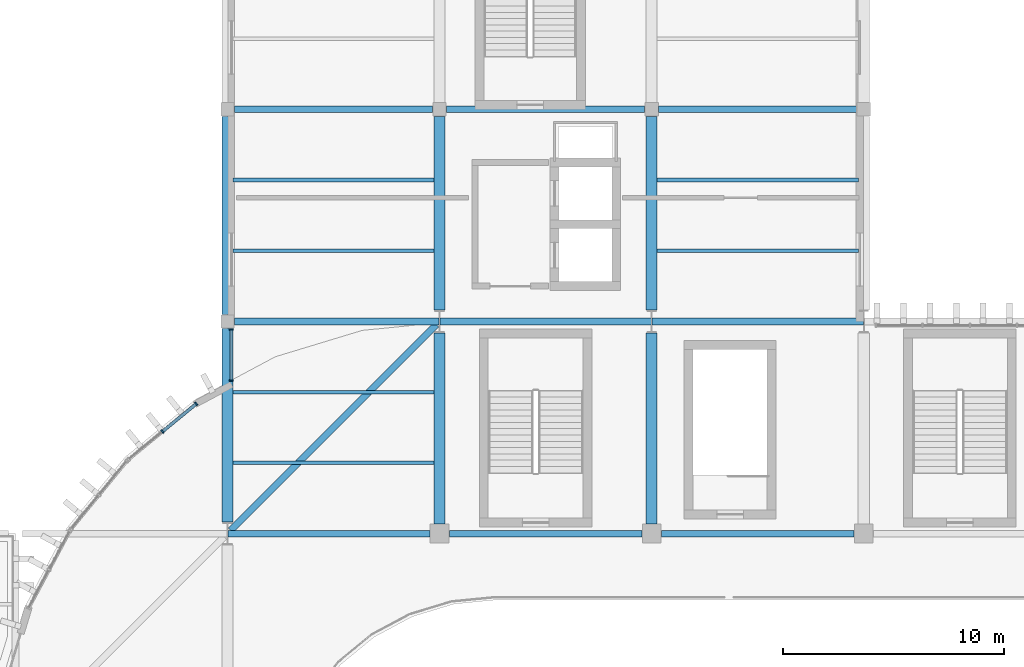
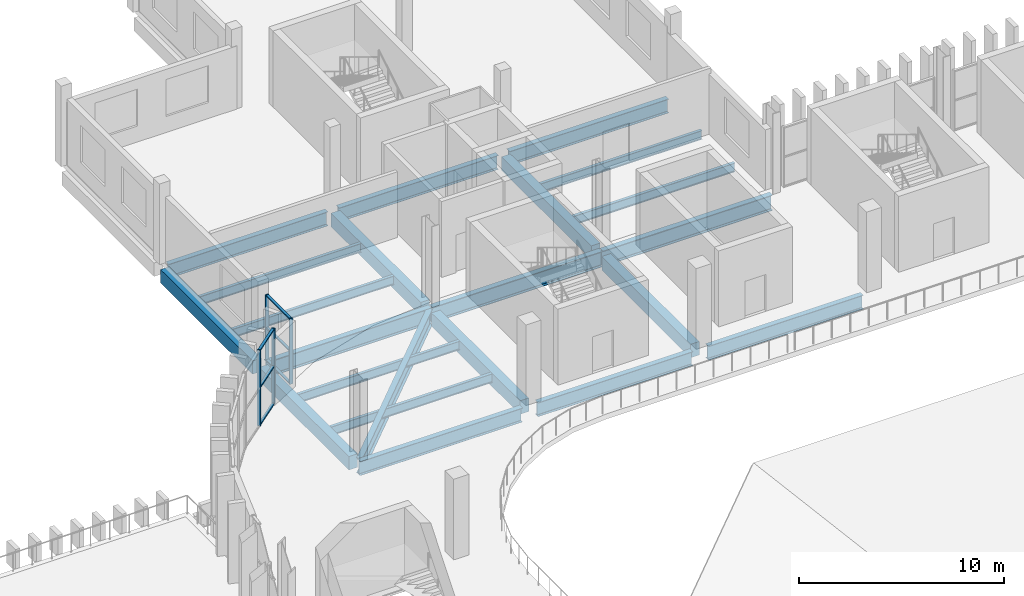
# One storey, part 33 of 99: 22 beams, 10 members, 2 elements without a shape of their own.
"""IFC4 building model written with IfcOpenShell, lengths in metres."""

from ifc_helpers import new_model, si_unit, direction, frame, origin, origin_2d, place, context, subcontext, project, spatial, rectangle, i_section, extrude, material, layer, layer_set, material_profile, profile_set, type_object, element, aggregate, save


model = new_model("IFC4")

# Units and contexts
model_context = context("Model", 3, precision=1e-05, world=origin(), true_north=direction((0.0, 1.0)))
body_context = subcontext(model_context, "Body", "Model", "MODEL_VIEW")
ifc_project = project(units=[si_unit("LENGTHUNIT", "METRE"), si_unit("AREAUNIT", "SQUARE_METRE"), si_unit("VOLUMEUNIT", "CUBIC_METRE"), si_unit("PLANEANGLEUNIT", "RADIAN"), si_unit("MASSUNIT", "GRAM", prefix="KILO")], contexts=[model_context])

# Site, building, storey
site_placement = place(None, origin())
site = spatial("IfcSite", under=ifc_project, at=site_placement, CompositionType="ELEMENT")
building_placement = place(site_placement, origin())
building = spatial("IfcBuilding", under=site, at=building_placement, Name="Caelomonte Colonnade Arena", CompositionType="ELEMENT")
storey_placement = place(building_placement, frame((0.0, 0.0, 4.800048828125)))
storey = spatial("IfcBuildingStorey", under=building, at=storey_placement, Name="L01", CompositionType="ELEMENT", Elevation=4.800048828125)

# Curtain wall, members
ifc_material_1 = material(Name="Bronze anodised aluminium and low-E glazing", Category="aluminium")
ifc_layer_1 = layer(ifc_material_1, 0.179931640625)
ifc_layer_set_1 = layer_set([ifc_layer_1], Name="Bronze anodised aluminium and low-E glazing")
curtain_wall_type_1 = type_object("IfcCurtainWallType", Name="ENV-CW-CW-L01-29-39", PredefinedType="USERDEFINED", material=ifc_layer_set_1)
curtain_wall_1_placement = place(storey_placement, origin())
curtain_wall_1 = element("IfcCurtainWall", 1, at=curtain_wall_1_placement, inside=storey, type_object=curtain_wall_type_1, Name="L01 unitized curtain wall CW-L01-0674-1138", ObjectType="UNITIZED CURTAIN WALL", PredefinedType="USERDEFINED")
ifc_material_2 = material(Name="Bronze anodised aluminium AA6063-T6", Category="aluminium")
ifc_material_profile_1 = material_profile(ifc_material_2, rectangle(XDim=0.070068359375, YDim=0.179931640625, at=origin_2d()), Name="CWM-70X180")
ifc_profile_set_1 = profile_set([ifc_material_profile_1], Name="Bronze anodised aluminium AA6063-T6")
member_type_1 = type_object("IfcMemberType", Name="ENV-CW-MULL1", PredefinedType="MULLION", material=ifc_profile_set_1)
member_1_placement = place(storey_placement, frame((67.3798828125, 114.844970703125, 0.0), z_axis=(0.0, 0.0, 1.0), x_axis=(0.0, -1.0, 0.0)))
member_1 = element("IfcMember", 2, at=member_1_placement, type_object=member_type_1, Name="CW-L01-29-39 mullion 1", PredefinedType="MULLION", context=body_context, shape_type="SweptSolid", body=[
    extrude(rectangle(XDim=0.070068359375, YDim=0.179931640625, at=origin_2d()), origin(), (0.0, 0.0, 1.0), 3.912841796875),
])
member_2_placement = place(storey_placement, frame((67.3798828125, 112.52001953125, 0.0), z_axis=(0.0, 0.0, 1.0), x_axis=(0.0, -1.0, 0.0)))
member_2 = element("IfcMember", 3, at=member_2_placement, type_object=member_type_1, Name="CW-L01-29-39 mullion 2", PredefinedType="MULLION", context=body_context, shape_type="SweptSolid", body=[
    extrude(rectangle(XDim=0.070068359375, YDim=0.179931640625, at=origin_2d()), origin(), (0.0, 0.0, 1.0), 3.912841796875),
])

ifc_layer_2 = layer(ifc_material_1, 0.179931640625)
ifc_layer_set_2 = layer_set([ifc_layer_2], Name="Bronze anodised aluminium and low-E glazing")
curtain_wall_type_2 = type_object("IfcCurtainWallType", Name="ENV-CW-CW-L01-44-45", PredefinedType="USERDEFINED", material=ifc_layer_set_2)
curtain_wall_2_placement = place(storey_placement, origin())
curtain_wall_2 = element("IfcCurtainWall", 4, at=curtain_wall_2_placement, inside=storey, type_object=curtain_wall_type_2, Name="L01 unitized curtain wall CW-L01-0643-1102", ObjectType="UNITIZED CURTAIN WALL", PredefinedType="USERDEFINED")
member_3_placement = place(storey_placement, frame((65.789306640625, 111.47412109375, 0.0), z_axis=(0.0, 0.0, 1.0), x_axis=(-0.772991751994, -0.634416071163, 0.0)))
member_3 = element("IfcMember", 5, at=member_3_placement, type_object=member_type_1, Name="CW-L01-44-45 mullion 1", PredefinedType="MULLION", context=body_context, shape_type="SweptSolid", body=[
    extrude(rectangle(XDim=0.070068359375, YDim=0.179931640625, at=origin_2d()), origin(), (0.0, 0.0, 1.0), 4.52001953125),
])
member_4_placement = place(storey_placement, frame((64.256103515625, 110.2158203125, 0.0), z_axis=(0.0, 0.0, 1.0), x_axis=(-0.772991751994, -0.634416071163, 0.0)))
member_4 = element("IfcMember", 6, at=member_4_placement, type_object=member_type_1, Name="CW-L01-44-45 mullion 2", PredefinedType="MULLION", context=body_context, shape_type="SweptSolid", body=[
    extrude(rectangle(XDim=0.070068359375, YDim=0.179931640625, at=origin_2d()), origin(), (0.0, 0.0, 1.0), 4.52001953125),
])

# Member
ifc_material_profile_2 = material_profile(ifc_material_2, rectangle(XDim=0.070068359375, YDim=0.139892578125, at=origin_2d()), Name="CWT-70X140")
ifc_profile_set_2 = profile_set([ifc_material_profile_2], Name="Bronze anodised aluminium AA6063-T6")
member_type_2 = type_object("IfcMemberType", Name="ENV-CW-TRAN1", PredefinedType="USERDEFINED", material=ifc_profile_set_2)
member_5_placement = place(storey_placement, frame((67.3798828125, 114.81005859375, 0.034912109375), z_axis=(0.0, -1.0, 0.0), x_axis=(0.0, 0.0, 1.0)))
member_5 = element("IfcMember", 7, at=member_5_placement, type_object=member_type_2, Name="CW-L01-29-39 transom 1.1", ObjectType="TRANSOM", PredefinedType="USERDEFINED", context=body_context, shape_type="SweptSolid", body=[
    extrude(rectangle(XDim=0.070068359375, YDim=0.139892578125, at=origin_2d()), origin(), (0.0, 0.0, 1.0), 2.255126953125),
])

member_6_placement = place(storey_placement, frame((67.3798828125, 114.81005859375, 1.95654296875), z_axis=(0.0, -1.0, 0.0), x_axis=(0.0, 0.0, 1.0)))
member_6 = element("IfcMember", 8, at=member_6_placement, type_object=member_type_2, Name="CW-L01-29-39 transom 1.2", ObjectType="TRANSOM", PredefinedType="USERDEFINED", context=body_context, shape_type="SweptSolid", body=[
    extrude(rectangle(XDim=0.070068359375, YDim=0.139892578125, at=origin_2d()), origin(), (0.0, 0.0, 1.0), 2.255126953125),
])

member_7_placement = place(storey_placement, frame((67.3798828125, 114.81005859375, 3.8779296875), z_axis=(0.0, -1.0, 0.0), x_axis=(0.0, 0.0, 1.0)))
member_7 = element("IfcMember", 9, at=member_7_placement, type_object=member_type_2, Name="CW-L01-29-39 transom 1.3", ObjectType="TRANSOM", PredefinedType="USERDEFINED", context=body_context, shape_type="SweptSolid", body=[
    extrude(rectangle(XDim=0.070068359375, YDim=0.139892578125, at=origin_2d()), origin(), (0.0, 0.0, 1.0), 2.255126953125),
])

aggregate(curtain_wall_1, [member_1, member_2, member_5, member_6, member_7])

member_8_placement = place(storey_placement, frame((65.76220703125, 111.451904296875, 0.034912109375), z_axis=(-0.772989936128, -0.634418283662, 0.0), x_axis=(0.0, 0.0, 1.0)))
member_8 = element("IfcMember", 10, at=member_8_placement, type_object=member_type_2, Name="CW-L01-44-45 transom 1.1", ObjectType="TRANSOM", PredefinedType="USERDEFINED", context=body_context, shape_type="SweptSolid", body=[
    extrude(rectangle(XDim=0.070068359375, YDim=0.139892578125, at=origin_2d()), origin(), (0.0, 0.0, 1.0), 1.913330078125),
])

member_9_placement = place(storey_placement, frame((65.76220703125, 111.451904296875, 2.260009765625), z_axis=(-0.772989936128, -0.634418283662, 0.0), x_axis=(0.0, 0.0, 1.0)))
member_9 = element("IfcMember", 11, at=member_9_placement, type_object=member_type_2, Name="CW-L01-44-45 transom 1.2", ObjectType="TRANSOM", PredefinedType="USERDEFINED", context=body_context, shape_type="SweptSolid", body=[
    extrude(rectangle(XDim=0.070068359375, YDim=0.139892578125, at=origin_2d()), origin(), (0.0, 0.0, 1.0), 1.913330078125),
])

member_10_placement = place(storey_placement, frame((65.76220703125, 111.451904296875, 4.48486328125), z_axis=(-0.772989936128, -0.634418283662, 0.0), x_axis=(0.0, 0.0, 1.0)))
member_10 = element("IfcMember", 12, at=member_10_placement, type_object=member_type_2, Name="CW-L01-44-45 transom 1.3", ObjectType="TRANSOM", PredefinedType="USERDEFINED", context=body_context, shape_type="SweptSolid", body=[
    extrude(rectangle(XDim=0.070068359375, YDim=0.139892578125, at=origin_2d()), origin(), (0.0, 0.0, 1.0), 1.913330078125),
])

aggregate(curtain_wall_2, [member_3, member_4, member_8, member_9, member_10])

# Beams
ifc_material_3 = material(Name="Wide-flange steel ASTM A992 Grade 50", Category="steel")
ifc_material_profile_3 = material_profile(ifc_material_3, i_section(OverallWidth=0.307861328125, OverallDepth=0.927001953125, WebThickness=0.019287109375, FlangeThickness=0.031982421875, FilletRadius=0.020263671875, at=origin_2d()), Name="W36X194")
ifc_profile_set_3 = profile_set([ifc_material_profile_3], Name="Wide-flange steel ASTM A992 Grade 50")
beam_type_1 = type_object("IfcBeamType", Name="STR-BM-EAVES2", PredefinedType="SPANDREL", material=ifc_profile_set_3)
beam_1_placement = place(storey_placement, frame((67.51708984375, 115.199951171875, -0.763427734375), z_axis=(1.0, 0.0, 0.0), x_axis=(0.0, 1.0, 0.0)))
element("IfcBeam", 13, at=beam_1_placement, inside=storey, type_object=beam_type_1, Name="L01 girder BMX-L01-0672-1152", PredefinedType="SPANDREL", context=body_context, shape_type="SweptSolid", body=[
    extrude(i_section(OverallWidth=0.307861328125, OverallDepth=0.927001953125, WebThickness=0.019287109375, FlangeThickness=0.031982421875, FilletRadius=0.020263671875, at=origin_2d()), origin(), (0.0, 0.0, 1.0), 9.267333984375),
])
for number, where, z_axis, x_axis, name in (
    (14, (76.8154296875, 115.199951171875, -0.763427734375), (1.0, 0.0, 0.0), (0.0, 1.0, 0.0), "L01 girder BMX-L01-0768-1152"),
    (15, (86.41552734375, 115.199951171875, -0.763427734375), (1.0, 0.0, 0.0), (0.0, 1.0, 0.0), "L01 girder BMX-L01-0864-1152"),
):
    element("IfcBeam", number, at=place(storey_placement, frame(where, z_axis=z_axis, x_axis=x_axis)), inside=storey, type_object=beam_type_1, Name=name, PredefinedType="SPANDREL", context=body_context, shape_type="SweptSolid", body=[
        extrude(i_section(OverallWidth=0.307861328125, OverallDepth=0.927001953125, WebThickness=0.019287109375, FlangeThickness=0.031982421875, FilletRadius=0.020263671875, at=origin_2d()), origin(), (0.0, 0.0, 1.0), 9.569091796875),
    ])
beam_2_placement = place(storey_placement, frame((76.65478515625, 115.0546875, -0.763427734375), z_axis=(-0.707116053077, -0.707097509175, 0.0), x_axis=(0.707097509175, -0.707116053077, 0.0)))
element("IfcBeam", 16, at=beam_2_placement, inside=storey, type_object=beam_type_1, Name="L01 drum corner ring girder 7", PredefinedType="SPANDREL", context=body_context, shape_type="SweptSolid", body=[
    extrude(i_section(OverallWidth=0.307861328125, OverallDepth=0.927001953125, WebThickness=0.019287109375, FlangeThickness=0.031982421875, FilletRadius=0.020263671875, at=origin_2d()), origin(), (0.0, 0.0, 1.0), 13.16552734375),
])
ifc_material_profile_4 = material_profile(ifc_material_3, i_section(OverallWidth=0.2919921875, OverallDepth=0.835693359375, WebThickness=0.013916015625, FlangeThickness=0.018798828125, FilletRadius=0.017822265625, at=origin_2d()), Name="W33X118")
ifc_profile_set_4 = profile_set([ifc_material_profile_4], Name="Wide-flange steel ASTM A992 Grade 50")
beam_type_2 = type_object("IfcBeamType", Name="STR-BM-GIRD33B", PredefinedType="BEAM", material=ifc_profile_set_4)
beam_3_placement = place(storey_placement, frame((67.215576171875, 105.60009765625, -0.7177734375), z_axis=(1.0, 0.0, 0.0), x_axis=(0.0, 1.0, 0.0)))
element("IfcBeam", 17, at=beam_3_placement, inside=storey, type_object=beam_type_2, Name="L01 girder BMX-L01-0672-1056", PredefinedType="BEAM", context=body_context, shape_type="SweptSolid", body=[
    extrude(i_section(OverallWidth=0.2919921875, OverallDepth=0.835693359375, WebThickness=0.013916015625, FlangeThickness=0.018798828125, FilletRadius=0.017822265625, at=origin_2d()), origin(), (0.0, 0.0, 1.0), 9.142333984375),
])
for number, where, z_axis, x_axis, name in (
    (18, (77.241943359375, 105.60009765625, -0.7177734375), (1.0, 0.0, 0.0), (0.0, 1.0, 0.0), "L01 girder BMX-L01-0768-1056"),
    (19, (86.842041015625, 105.60009765625, -0.7177734375), (1.0, 0.0, 0.0), (0.0, 1.0, 0.0), "L01 girder BMX-L01-0864-1056"),
):
    element("IfcBeam", number, at=place(storey_placement, frame(where, z_axis=z_axis, x_axis=x_axis)), inside=storey, type_object=beam_type_2, Name=name, PredefinedType="BEAM", context=body_context, shape_type="SweptSolid", body=[
        extrude(i_section(OverallWidth=0.2919921875, OverallDepth=0.835693359375, WebThickness=0.013916015625, FlangeThickness=0.018798828125, FilletRadius=0.017822265625, at=origin_2d()), origin(), (0.0, 0.0, 1.0), 8.716064453125),
    ])
beam_4_placement = place(storey_placement, frame((67.51708984375, 124.800048828125, -0.7177734375), z_axis=(1.0, 0.0, 0.0), x_axis=(0.0, 1.0, 0.0)))
element("IfcBeam", 20, at=beam_4_placement, inside=storey, type_object=beam_type_2, Name="L01 girder BMX-L01-0672-1248", PredefinedType="BEAM", context=body_context, shape_type="SweptSolid", body=[
    extrude(i_section(OverallWidth=0.2919921875, OverallDepth=0.835693359375, WebThickness=0.013916015625, FlangeThickness=0.018798828125, FilletRadius=0.017822265625, at=origin_2d()), origin(), (0.0, 0.0, 1.0), 8.9658203125),
])
for number, where, z_axis, x_axis, name in (
    (21, (77.116943359375, 124.800048828125, -0.7177734375), (1.0, 0.0, 0.0), (0.0, 1.0, 0.0), "L01 girder BMX-L01-0768-1248"),
    (22, (86.717041015625, 124.800048828125, -0.7177734375), (1.0, 0.0, 0.0), (0.0, 1.0, 0.0), "L01 girder BMX-L01-0864-1248"),
):
    element("IfcBeam", number, at=place(storey_placement, frame(where, z_axis=z_axis, x_axis=x_axis)), inside=storey, type_object=beam_type_2, Name=name, PredefinedType="BEAM", context=body_context, shape_type="SweptSolid", body=[
        extrude(i_section(OverallWidth=0.2919921875, OverallDepth=0.835693359375, WebThickness=0.013916015625, FlangeThickness=0.018798828125, FilletRadius=0.017822265625, at=origin_2d()), origin(), (0.0, 0.0, 1.0), 8.966064453125),
    ])
ifc_material_profile_5 = material_profile(ifc_material_3, i_section(OverallWidth=0.166015625, OverallDepth=0.5283203125, WebThickness=0.009765625, FlangeThickness=0.013671875, FilletRadius=0.0126953125, at=origin_2d()), Name="W21X50")
ifc_profile_set_5 = profile_set([ifc_material_profile_5], Name="Wide-flange steel ASTM A992 Grade 50")
beam_type_3 = type_object("IfcBeamType", Name="STR-BM-JOIST21B", PredefinedType="JOIST", material=ifc_profile_set_5)
for number, where, z_axis, x_axis, name in (
    (23, (67.445068359375, 108.800048828125, -0.564208984375), (1.0, 0.0, 0.0), (0.0, 1.0, 0.0), "L01 secondary joist 1"),
    (24, (67.445068359375, 112.0, -0.564208984375), (1.0, 0.0, 0.0), (0.0, 1.0, 0.0), "L01 secondary joist 2"),
    (25, (67.445068359375, 118.39990234375, -0.564208984375), (1.0, 0.0, 0.0), (0.0, 1.0, 0.0), "L01 secondary joist 1"),
    (26, (67.445068359375, 121.60009765625, -0.564208984375), (1.0, 0.0, 0.0), (0.0, 1.0, 0.0), "L01 secondary joist 2"),
    (27, (86.64501953125, 118.39990234375, -0.564208984375), (1.0, 0.0, 0.0), (0.0, 1.0, 0.0), "L01 secondary joist 1"),
    (28, (86.64501953125, 121.60009765625, -0.564208984375), (1.0, 0.0, 0.0), (0.0, 1.0, 0.0), "L01 secondary joist 2"),
):
    element("IfcBeam", number, at=place(storey_placement, frame(where, z_axis=z_axis, x_axis=x_axis)), inside=storey, type_object=beam_type_3, Name=name, PredefinedType="JOIST", context=body_context, shape_type="SweptSolid", body=[
        extrude(i_section(OverallWidth=0.166015625, OverallDepth=0.5283203125, WebThickness=0.009765625, FlangeThickness=0.013671875, FilletRadius=0.0126953125, at=origin_2d()), origin(), (0.0, 0.0, 1.0), 9.10986328125),
    ])
ifc_material_4 = material(Name="Concrete C40/50", Category="concrete")
ifc_material_profile_6 = material_profile(ifc_material_4, rectangle(XDim=0.5, YDim=0.800048828125, at=origin_2d()), Name="RC500X800")
ifc_profile_set_6 = profile_set([ifc_material_profile_6], Name="Concrete C40/50")
beam_type_4 = type_object("IfcBeamType", Name="STR-BM-RC50", PredefinedType="BEAM", material=ifc_profile_set_6)
beam_5_placement = place(storey_placement, frame((67.199951171875, 106.11279296875, -0.699951171875), z_axis=(0.0, 1.0, 0.0), x_axis=(-1.0, 0.0, 0.0)))
element("IfcBeam", 29, at=beam_5_placement, inside=storey, type_object=beam_type_4, Name="L01 girder BMY-L01-0672-1056", PredefinedType="BEAM", context=body_context, shape_type="SweptSolid", body=[
    extrude(rectangle(XDim=0.5, YDim=0.800048828125, at=origin_2d()), origin(), (0.0, 0.0, 1.0), 8.770263671875),
])
beam_6_placement = place(storey_placement, frame((67.199951171875, 115.51708984375, -0.699951171875), z_axis=(0.0, 1.0, 0.0), x_axis=(-1.0, 0.0, 0.0)))
element("IfcBeam", 30, at=beam_6_placement, inside=storey, type_object=beam_type_4, Name="L01 girder BMY-L01-0672-1152", PredefinedType="BEAM", context=body_context, shape_type="SweptSolid", body=[
    extrude(rectangle(XDim=0.5, YDim=0.800048828125, at=origin_2d()), origin(), (0.0, 0.0, 1.0), 8.9658203125),
])
beam_7_placement = place(storey_placement, frame((76.800048828125, 106.0419921875, -0.699951171875), z_axis=(0.0, 1.0, 0.0), x_axis=(-1.0, 0.0, 0.0)))
element("IfcBeam", 31, at=beam_7_placement, inside=storey, type_object=beam_type_4, Name="L01 girder BMY-L01-0768-1056", PredefinedType="BEAM", context=body_context, shape_type="SweptSolid", body=[
    extrude(rectangle(XDim=0.5, YDim=0.800048828125, at=origin_2d()), origin(), (0.0, 0.0, 1.0), 8.645263671875),
])
beam_8_placement = place(storey_placement, frame((76.800048828125, 115.712646484375, -0.699951171875), z_axis=(0.0, 1.0, 0.0), x_axis=(-1.0, 0.0, 0.0)))
element("IfcBeam", 32, at=beam_8_placement, inside=storey, type_object=beam_type_4, Name="L01 girder BMY-L01-0768-1152", PredefinedType="BEAM", context=body_context, shape_type="SweptSolid", body=[
    extrude(rectangle(XDim=0.5, YDim=0.800048828125, at=origin_2d()), origin(), (0.0, 0.0, 1.0), 8.770263671875),
])
beam_9_placement = place(storey_placement, frame((86.39990234375, 106.0419921875, -0.699951171875), z_axis=(0.0, 1.0, 0.0), x_axis=(-1.0, 0.0, 0.0)))
element("IfcBeam", 33, at=beam_9_placement, inside=storey, type_object=beam_type_4, Name="L01 girder BMY-L01-0864-1056", PredefinedType="BEAM", context=body_context, shape_type="SweptSolid", body=[
    extrude(rectangle(XDim=0.5, YDim=0.800048828125, at=origin_2d()), origin(), (0.0, 0.0, 1.0), 8.645263671875),
])
beam_10_placement = place(storey_placement, frame((86.39990234375, 115.712646484375, -0.699951171875), z_axis=(0.0, 1.0, 0.0), x_axis=(-1.0, 0.0, 0.0)))
element("IfcBeam", 34, at=beam_10_placement, inside=storey, type_object=beam_type_4, Name="L01 girder BMY-L01-0864-1152", PredefinedType="BEAM", context=body_context, shape_type="SweptSolid", body=[
    extrude(rectangle(XDim=0.5, YDim=0.800048828125, at=origin_2d()), origin(), (0.0, 0.0, 1.0), 8.770263671875),
])

save(model, "model.ifc")
